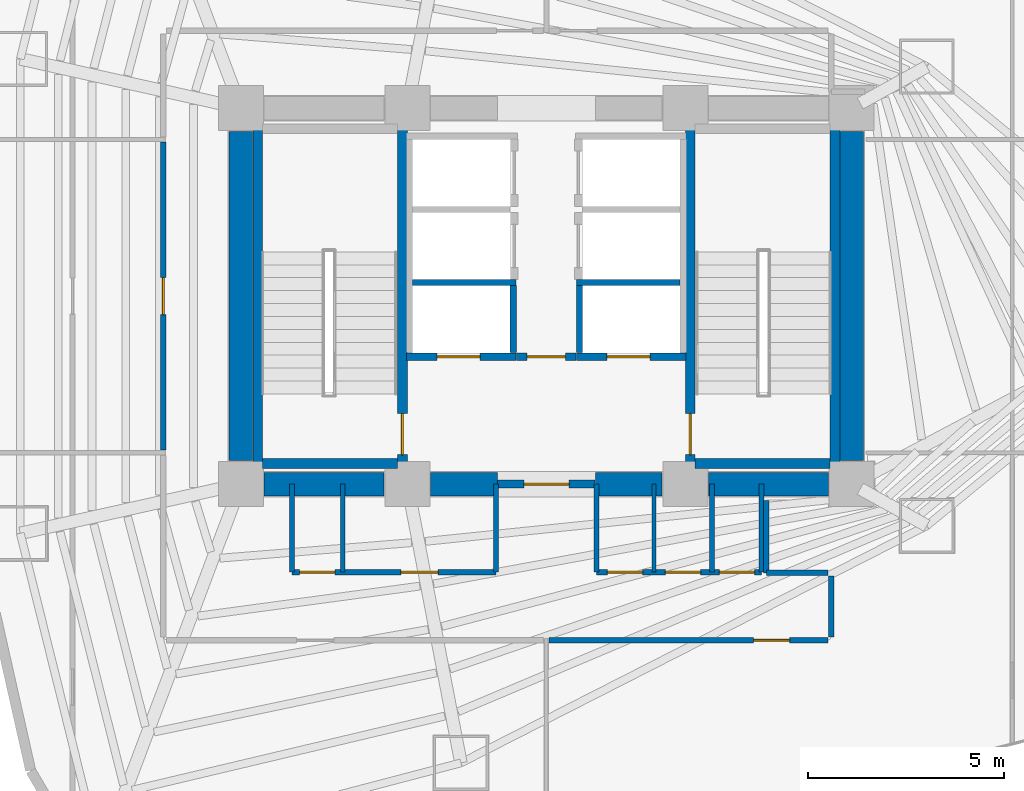
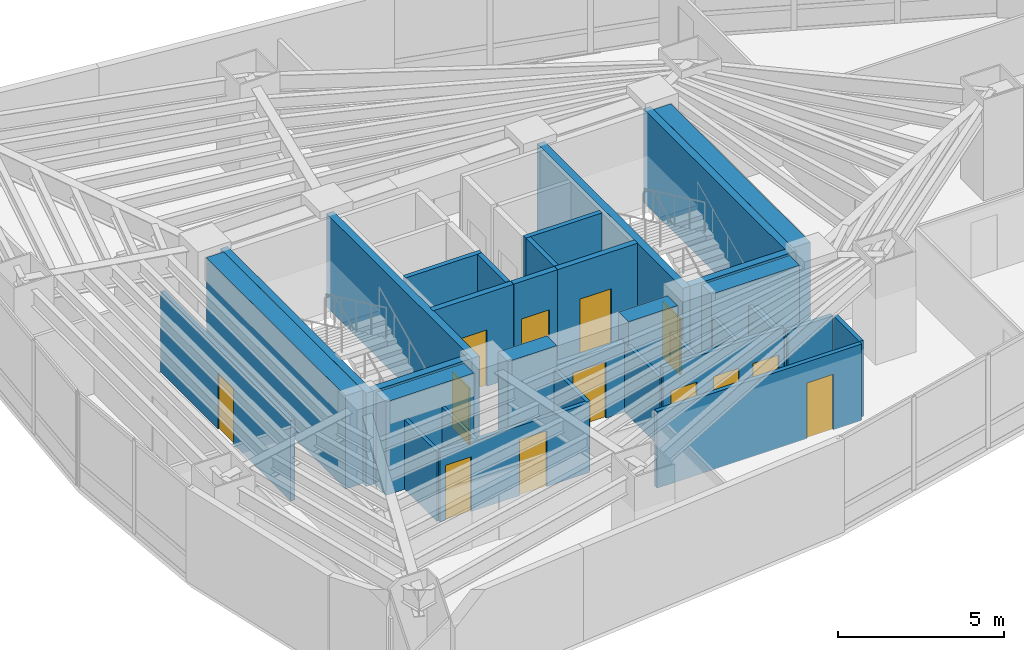
# One storey, part 15 of 20: 34 walls, 13 doors, 13 openings.
"""IFC4 building model written with IfcOpenShell, lengths in metres."""

from ifc_helpers import new_model, si_unit, direction, frame, frame_2d, origin, place, context, subcontext, project, spatial, rectangle, extrude, material, layer, layer_set, type_object, element, fill, save


model = new_model("IFC4")

# Units and contexts
model_context = context("Model", 3, precision=1e-05, world=origin(), true_north=direction((0.0, 1.0)))
body_context = subcontext(model_context, "Body", "Model", "MODEL_VIEW")
ifc_project = project(units=[si_unit("LENGTHUNIT", "METRE"), si_unit("AREAUNIT", "SQUARE_METRE"), si_unit("VOLUMEUNIT", "CUBIC_METRE"), si_unit("PLANEANGLEUNIT", "RADIAN"), si_unit("MASSUNIT", "GRAM", prefix="KILO")], contexts=[model_context])

# Site, building, storey
site_placement = place(None, origin())
site = spatial("IfcSite", under=ifc_project, at=site_placement, CompositionType="ELEMENT")
building_placement = place(site_placement, origin())
building = spatial("IfcBuilding", under=site, at=building_placement, Name="Menara Vayukalpa", CompositionType="ELEMENT")
storey_placement = place(building_placement, frame((0.0, 0.0, 64.800048828125)))
storey = spatial("IfcBuildingStorey", under=building, at=storey_placement, Name="L15", CompositionType="ELEMENT", Elevation=64.800048828125)

# Walls
ifc_material_1 = material(Name="Concrete C70/85", Category="concrete")
ifc_layer_1 = layer(ifc_material_1, 0.60009765625)
ifc_layer_set_1 = layer_set([ifc_layer_1], Name="Concrete C70/85")
wall_type_1 = type_object("IfcWallType", Name="WAL-CW600", PredefinedType="SHEAR", material=ifc_layer_set_1)
wall_1_placement = place(storey_placement, frame((18.39501953125, 17.199951171875, 0.0), z_axis=(0.0, 0.0, 1.0), x_axis=(1.0, 0.0, 0.0)))
element("IfcWall", 1, at=wall_1_placement, inside=storey, type_object=wall_type_1, Name="L15 Buttressed Core Shear Wall CWS1", PredefinedType="SHEAR", context=body_context, shape_type="SweptSolid", body=[
    extrude(rectangle(XDim=3.06005859375, YDim=0.60009765625, at=frame_2d((1.530029296875, 0.0))), origin(), (0.0, 0.0, 1.0), 3.43994140625),
])
wall_2_placement = place(storey_placement, frame((22.64501953125, 17.199951171875, 0.0), z_axis=(0.0, 0.0, 1.0), x_axis=(1.0, 0.0, 0.0)))
element("IfcWall", 2, at=wall_2_placement, inside=storey, type_object=wall_type_1, Name="L15 Buttressed Core Shear Wall CWS2", PredefinedType="SHEAR", context=body_context, shape_type="SweptSolid", body=[
    extrude(rectangle(XDim=1.705078125, YDim=0.60009765625, at=frame_2d((0.8525390625, 0.0))), origin(), (0.0, 0.0, 1.0), 3.43994140625),
])
wall_3_placement = place(storey_placement, frame((26.85009765625, 17.199951171875, 0.0), z_axis=(0.0, 0.0, 1.0), x_axis=(1.0, 0.0, 0.0)))
element("IfcWall", 3, at=wall_3_placement, inside=storey, type_object=wall_type_1, Name="L15 Buttressed Core Shear Wall CWS3", PredefinedType="SHEAR", context=body_context, shape_type="SweptSolid", body=[
    extrude(rectangle(XDim=1.704833984375, YDim=0.60009765625, at=frame_2d((0.8525390625, 0.0))), origin(), (0.0, 0.0, 1.0), 3.43994140625),
])
wall_4_placement = place(storey_placement, frame((29.7451171875, 17.199951171875, 0.0), z_axis=(0.0, 0.0, 1.0), x_axis=(1.0, 0.0, 0.0)))
element("IfcWall", 4, at=wall_4_placement, inside=storey, type_object=wall_type_1, Name="L15 Buttressed Core Shear Wall CWS4", PredefinedType="SHEAR", context=body_context, shape_type="SweptSolid", body=[
    extrude(rectangle(XDim=3.059814453125, YDim=0.60009765625, at=frame_2d((1.52978515625, 0.0))), origin(), (0.0, 0.0, 1.0), 3.43994140625),
])
for number, where, z_axis, x_axis, name in (
    (5, (17.800048828125, 17.794921875, 0.0), (0.0, 0.0, 1.0), (0.0, 1.0, 0.0), "L15 Buttressed Core Shear Wall CWW1"),
    (6, (33.39990234375, 17.794921875, 0.0), (0.0, 0.0, 1.0), (0.0, 1.0, 0.0), "L15 Buttressed Core Shear Wall CWE1"),
):
    element("IfcWall", number, at=place(storey_placement, frame(where, z_axis=z_axis, x_axis=x_axis)), inside=storey, type_object=wall_type_1, Name=name, PredefinedType="SHEAR", context=body_context, shape_type="SweptSolid", body=[
        extrude(rectangle(XDim=8.41015625, YDim=0.60009765625, at=frame_2d((4.205078125, 0.0))), origin(), (0.0, 0.0, 1.0), 3.43994140625),
    ])
ifc_material_2 = material(Name="Lightweight Concrete Blockwork C16/20", Category="masonry")
ifc_layer_2 = layer(ifc_material_2, 0.159912109375)
ifc_layer_set_2 = layer_set([ifc_layer_2], Name="Lightweight Concrete Blockwork C16/20")
wall_type_2 = type_object("IfcWallType", Name="WAL-FR150", PredefinedType="PARTITIONING", material=ifc_layer_set_2)
wall_5_placement = place(storey_placement, frame((24.7548828125, 20.56005859375, 0.0), z_axis=(0.0, 0.0, 1.0), x_axis=(0.0, 1.0, 0.0)))
element("IfcWall", 7, at=wall_5_placement, inside=storey, type_object=wall_type_2, Name="L15 Interior Partition IW-L15-SHW-W1E", PredefinedType="PARTITIONING", context=body_context, shape_type="SweptSolid", body=[
    extrude(rectangle(XDim=1.7099609375, YDim=0.159912109375, at=frame_2d((0.85498046875, 0.0))), origin(), (0.0, 0.0, 1.0), 3.43994140625),
])
wall_6_placement = place(storey_placement, frame((22.179931640625, 22.344970703125, 0.0), z_axis=(0.0, 0.0, 1.0), x_axis=(1.0, 0.0, 0.0)))
element("IfcWall", 8, at=wall_6_placement, inside=storey, type_object=wall_type_2, Name="L15 Interior Partition IW-L15-SHM-W12", PredefinedType="PARTITIONING", context=body_context, shape_type="SweptSolid", body=[
    extrude(rectangle(XDim=2.650146484375, YDim=0.159912109375, at=frame_2d((1.3251953125, 0.0))), origin(), (0.0, 0.0, 1.0), 3.43994140625),
])
wall_7_placement = place(storey_placement, frame((26.445068359375, 20.56005859375, 0.0), z_axis=(0.0, 0.0, 1.0), x_axis=(0.0, 1.0, 0.0)))
element("IfcWall", 9, at=wall_7_placement, inside=storey, type_object=wall_type_2, Name="L15 Interior Partition IW-L15-SHW-E1W", PredefinedType="PARTITIONING", context=body_context, shape_type="SweptSolid", body=[
    extrude(rectangle(XDim=1.7099609375, YDim=0.159912109375, at=frame_2d((0.85498046875, 0.0))), origin(), (0.0, 0.0, 1.0), 3.43994140625),
])
wall_8_placement = place(storey_placement, frame((26.3701171875, 22.344970703125, 0.0), z_axis=(0.0, 0.0, 1.0), x_axis=(1.0, 0.0, 0.0)))
element("IfcWall", 10, at=wall_8_placement, inside=storey, type_object=wall_type_2, Name="L15 Interior Partition IW-L15-SHM-E13", PredefinedType="PARTITIONING", context=body_context, shape_type="SweptSolid", body=[
    extrude(rectangle(XDim=2.64990234375, YDim=0.159912109375, at=frame_2d((1.324951171875, 0.0))), origin(), (0.0, 0.0, 1.0), 3.43994140625),
])

# Wall, opening, door
ifc_material_3 = material(Name="Lightweight Concrete Blockwork C16/20", Category="masonry")
ifc_layer_3 = layer(ifc_material_3, 0.199951171875)
ifc_layer_set_3 = layer_set([ifc_layer_3], Name="Lightweight Concrete Blockwork C16/20")
wall_type_3 = type_object("IfcWallType", Name="WAL-FR200", PredefinedType="PARTITIONING", material=ifc_layer_set_3)
wall_9_placement = place(storey_placement, frame((24.35009765625, 17.199951171875, 0.0), z_axis=(0.0, 0.0, 1.0), x_axis=(1.0, 0.0, 0.0)))
wall_9 = element("IfcWall", 11, at=wall_9_placement, inside=storey, type_object=wall_type_3, Name="L15 Interior Partition IW-L15-FFLS", PredefinedType="PARTITIONING", context=body_context, shape_type="SweptSolid", body=[
    extrude(rectangle(XDim=2.5, YDim=0.199951171875, at=frame_2d((1.25, 0.0))), origin(), (0.0, 0.0, 1.0), 2.570068359375),
])
opening_1_placement = place(wall_9_placement, frame((0.679931640625, 0.0, 0.0)))
opening_1 = element("IfcOpeningElement", 12, at=opening_1_placement, cuts=wall_9, Name="Opening ID2", PredefinedType="OPENING", context=body_context, shape_type="SweptSolid", body=[
    extrude(rectangle(XDim=1.14990234375, YDim=2.080078125, at=frame_2d((0.574951171875, 1.0400390625))), frame((0.0, 0.10986328125, 0.0), z_axis=(0.0, -1.0, 0.0), x_axis=(1.0, 0.0, 0.0)), (0.0, 0.0, 1.0), 0.219970703125),
])
ifc_material_4 = material(Name="Fire-Rated Powder-Coated Steel Door", Category="steel")
door_type_1 = type_object("IfcDoorType", Name="DR-FD60W", OperationType="NOTDEFINED", PredefinedType="DOOR", material=ifc_material_4)
door_1_placement = place(opening_1_placement, origin())
door_1 = element("IfcDoor", 13, at=door_1_placement, inside=storey, type_object=door_type_1, Name="L15 Interior Door DR-L15-FFLS", OperationType="SINGLE_SWING_RIGHT", OverallHeight=2.080078125, OverallWidth=1.14990234375, PredefinedType="DOOR", context=body_context, shape_type="SweptSolid", body=[
    extrude(rectangle(XDim=1.14990234375, YDim=2.080078125, at=frame_2d((0.574951171875, 1.0400390625))), frame((0.0, 0.02490234375, 0.0), z_axis=(0.0, -1.0, 0.0), x_axis=(1.0, 0.0, 0.0)), (0.0, 0.0, 1.0), 0.050048828125),
])
fill(opening_1, door_1)

wall_10_placement = place(storey_placement, frame((24.840087890625, 20.449951171875, 0.0), z_axis=(0.0, 0.0, 1.0), x_axis=(1.0, 0.0, 0.0)))
wall_10 = element("IfcWall", 14, at=wall_10_placement, inside=storey, type_object=wall_type_3, Name="L15 Interior Partition IW-L15-FFLN", PredefinedType="PARTITIONING", context=body_context, shape_type="SweptSolid", body=[
    extrude(rectangle(XDim=1.52001953125, YDim=0.199951171875, at=frame_2d((0.760009765625, 0.0))), origin(), (0.0, 0.0, 1.0), 3.43994140625),
])
opening_2_placement = place(wall_10_placement, frame((0.27001953125, 0.0, 0.0)))
opening_2 = element("IfcOpeningElement", 15, at=opening_2_placement, cuts=wall_10, Name="Opening ID3", PredefinedType="OPENING", context=body_context, shape_type="SweptSolid", body=[
    extrude(rectangle(XDim=0.97998046875, YDim=2.06005859375, at=frame_2d((0.489990234375, 1.030029296875))), frame((0.0, 0.10986328125, 0.0), z_axis=(0.0, -1.0, 0.0), x_axis=(1.0, 0.0, 0.0)), (0.0, 0.0, 1.0), 0.219970703125),
])
ifc_material_5 = material(Name="Fire-Rated Powder-Coated Steel Door", Category="steel")
door_type_2 = type_object("IfcDoorType", Name="DR-FD60", OperationType="NOTDEFINED", PredefinedType="DOOR", material=ifc_material_5)
door_2_placement = place(opening_2_placement, origin())
door_2 = element("IfcDoor", 16, at=door_2_placement, inside=storey, type_object=door_type_2, Name="L15 Interior Door DR-L15-FFLN", OperationType="SINGLE_SWING_LEFT", OverallHeight=2.06005859375, OverallWidth=0.97998046875, PredefinedType="DOOR", context=body_context, shape_type="SweptSolid", body=[
    extrude(rectangle(XDim=0.97998046875, YDim=2.06005859375, at=frame_2d((0.489990234375, 1.030029296875))), frame((0.0, 0.02490234375, 0.0), z_axis=(0.0, -1.0, 0.0), x_axis=(1.0, 0.0, 0.0)), (0.0, 0.0, 1.0), 0.050048828125),
])
fill(opening_2, door_2)

wall_11_placement = place(storey_placement, frame((22.030029296875, 20.449951171875, 0.0), z_axis=(0.0, 0.0, 1.0), x_axis=(1.0, 0.0, 0.0)))
wall_11 = element("IfcWall", 17, at=wall_11_placement, inside=storey, type_object=wall_type_3, Name="L15 Interior Partition IW-L15-SH-W1", PredefinedType="PARTITIONING", context=body_context, shape_type="SweptSolid", body=[
    extrude(rectangle(XDim=2.800048828125, YDim=0.199951171875, at=frame_2d((1.39990234375, 0.0))), origin(), (0.0, 0.0, 1.0), 3.43994140625),
])
opening_3_placement = place(wall_11_placement, frame((0.780029296875, 0.0, 0.0)))
opening_3 = element("IfcOpeningElement", 18, at=opening_3_placement, cuts=wall_11, Name="Opening LD1", PredefinedType="OPENING", context=body_context, shape_type="SweptSolid", body=[
    extrude(rectangle(XDim=1.10009765625, YDim=2.080078125, at=frame_2d((0.550048828125, 1.0400390625))), frame((0.0, 0.10986328125, 0.0), z_axis=(0.0, -1.0, 0.0), x_axis=(1.0, 0.0, 0.0)), (0.0, 0.0, 1.0), 0.219970703125),
])
ifc_material_6 = material(Name="Brushed Stainless Steel 316 Lift Door", Category="steel")
door_type_3 = type_object("IfcDoorType", Name="DR-LD110", OperationType="NOTDEFINED", PredefinedType="DOOR", material=ifc_material_6)
door_3_placement = place(opening_3_placement, origin())
door_3 = element("IfcDoor", 19, at=door_3_placement, inside=storey, type_object=door_type_3, Name="L15 Interior Door DR-L15-LD-W1", OperationType="DOUBLE_DOOR_SLIDING", OverallHeight=2.080078125, OverallWidth=1.10009765625, PredefinedType="DOOR", context=body_context, shape_type="SweptSolid", body=[
    extrude(rectangle(XDim=1.10009765625, YDim=2.080078125, at=frame_2d((0.550048828125, 1.0400390625))), frame((0.0, 0.02490234375, 0.0), z_axis=(0.0, -1.0, 0.0), x_axis=(1.0, 0.0, 0.0)), (0.0, 0.0, 1.0), 0.050048828125),
])
fill(opening_3, door_3)

wall_12_placement = place(storey_placement, frame((26.3701171875, 20.449951171875, 0.0), z_axis=(0.0, 0.0, 1.0), x_axis=(1.0, 0.0, 0.0)))
wall_12 = element("IfcWall", 20, at=wall_12_placement, inside=storey, type_object=wall_type_3, Name="L15 Interior Partition IW-L15-SH-E1", PredefinedType="PARTITIONING", context=body_context, shape_type="SweptSolid", body=[
    extrude(rectangle(XDim=2.7998046875, YDim=0.199951171875, at=frame_2d((1.39990234375, 0.0))), origin(), (0.0, 0.0, 1.0), 3.43994140625),
])
opening_4_placement = place(wall_12_placement, frame((0.780029296875, 0.0, 0.0)))
opening_4 = element("IfcOpeningElement", 21, at=opening_4_placement, cuts=wall_12, Name="Opening LD1", PredefinedType="OPENING", context=body_context, shape_type="SweptSolid", body=[
    extrude(rectangle(XDim=1.10009765625, YDim=2.080078125, at=frame_2d((0.550048828125, 1.0400390625))), frame((0.0, 0.10986328125, 0.0), z_axis=(0.0, -1.0, 0.0), x_axis=(1.0, 0.0, 0.0)), (0.0, 0.0, 1.0), 0.219970703125),
])
door_4_placement = place(opening_4_placement, origin())
door_4 = element("IfcDoor", 22, at=door_4_placement, inside=storey, type_object=door_type_3, Name="L15 Interior Door DR-L15-LD-E1", OperationType="DOUBLE_DOOR_SLIDING", OverallHeight=2.080078125, OverallWidth=1.10009765625, PredefinedType="DOOR", context=body_context, shape_type="SweptSolid", body=[
    extrude(rectangle(XDim=1.10009765625, YDim=2.080078125, at=frame_2d((0.550048828125, 1.0400390625))), frame((0.0, 0.02490234375, 0.0), z_axis=(0.0, -1.0, 0.0), x_axis=(1.0, 0.0, 0.0)), (0.0, 0.0, 1.0), 0.050048828125),
])
fill(opening_4, door_4)

# Walls
ifc_material_7 = material(Name="Acoustic Mineral Stud Partition", Category="masonry")
ifc_layer_4 = layer(ifc_material_7, 0.110107421875)
ifc_layer_set_4 = layer_set([ifc_layer_4], Name="Acoustic Mineral Stud Partition")
wall_type_4 = type_object("IfcWallType", Name="WAL-PT110", PredefinedType="PARTITIONING", material=ifc_layer_set_4)
for number, where, z_axis, x_axis, name in (
    (23, (20.39990234375, 14.949951171875, 0.0), (0.0, 0.0, 1.0), (0.0, 1.0, 0.0), "L15 Interior Partition IW-L15-SVCD-02"),
    (24, (28.35009765625, 14.949951171875, 0.0), (0.0, 0.0, 1.0), (0.0, 1.0, 0.0), "L15 Interior Partition IW-L15-SVCD-05"),
):
    element("IfcWall", number, at=place(storey_placement, frame(where, z_axis=z_axis, x_axis=x_axis)), inside=storey, type_object=wall_type_4, Name=name, PredefinedType="PARTITIONING", context=body_context, shape_type="SweptSolid", body=[
        extrude(rectangle(XDim=2.25, YDim=0.110107421875, at=frame_2d((1.125, 0.0))), origin(), (0.0, 0.0, 1.0), 2.570068359375),
    ])
ifc_material_8 = material(Name="Gypsum Drywall Steel Stud Assembly", Category="steel")
ifc_layer_5 = layer(ifc_material_8, 0.125)
ifc_layer_set_5 = layer_set([ifc_layer_5], Name="Gypsum Drywall Steel Stud Assembly")
wall_type_5 = type_object("IfcWallType", Name="WAL-PT125", PredefinedType="PARTITIONING", material=ifc_layer_set_5)
for number, where, z_axis, x_axis, name in (
    (25, (19.10009765625, 14.949951171875, 0.0), (0.0, 0.0, 1.0), (0.0, 1.0, 0.0), "L15 Interior Partition IW-L15-SVCD-01"),
    (26, (24.320068359375, 14.949951171875, 0.0), (0.0, 0.0, 1.0), (0.0, 1.0, 0.0), "L15 Interior Partition IW-L15-SVCD-03"),
    (27, (26.8798828125, 14.949951171875, 0.0), (0.0, 0.0, 1.0), (0.0, 1.0, 0.0), "L15 Interior Partition IW-L15-SVCD-04"),
    (28, (29.830078125, 14.949951171875, 0.0), (0.0, 0.0, 1.0), (0.0, 1.0, 0.0), "L15 Interior Partition IW-L15-SVCD-06"),
    (29, (31.10009765625, 14.949951171875, 0.0), (0.0, 0.0, 1.0), (0.0, 1.0, 0.0), "L15 Interior Partition IW-L15-SVCD-07"),
):
    element("IfcWall", number, at=place(storey_placement, frame(where, z_axis=z_axis, x_axis=x_axis)), inside=storey, type_object=wall_type_5, Name=name, PredefinedType="PARTITIONING", context=body_context, shape_type="SweptSolid", body=[
        extrude(rectangle(XDim=2.25, YDim=0.125, at=frame_2d((1.125, 0.0))), origin(), (0.0, 0.0, 1.0), 2.570068359375),
    ])

# Wall, openings, doors
ifc_material_9 = material(Name="Gypsum Drywall Acoustic Stud Assembly", Category="masonry")
ifc_layer_6 = layer(ifc_material_9, 0.14501953125)
ifc_layer_set_6 = layer_set([ifc_layer_6], Name="Gypsum Drywall Acoustic Stud Assembly")
wall_type_6 = type_object("IfcWallType", Name="WAL-PT150", PredefinedType="PARTITIONING", material=ifc_layer_set_6)
wall_13_placement = place(storey_placement, frame((19.10009765625, 14.949951171875, 0.0), z_axis=(0.0, 0.0, 1.0), x_axis=(1.0, 0.0, 0.0)))
wall_13 = element("IfcWall", 30, at=wall_13_placement, inside=storey, type_object=wall_type_6, Name="L15 Interior Partition IW-L15-SVCS-W", PredefinedType="PARTITIONING", context=body_context, shape_type="SweptSolid", body=[
    extrude(rectangle(XDim=5.219970703125, YDim=0.14501953125, at=frame_2d((2.60986328125, 0.0))), origin(), (0.0, 0.0, 1.0), 2.570068359375),
])
opening_5_placement = place(wall_13_placement, frame((0.199951171875, 0.0, 0.0)))
opening_5 = element("IfcOpeningElement", 31, at=opening_5_placement, cuts=wall_13, Name="Opening ID7", PredefinedType="OPENING", context=body_context, shape_type="SweptSolid", body=[
    extrude(rectangle(XDim=0.89990234375, YDim=2.02001953125, at=frame_2d((0.449951171875, 1.010009765625))), frame((0.0, 0.08251953125, 0.0), z_axis=(0.0, -1.0, 0.0), x_axis=(1.0, 0.0, 0.0)), (0.0, 0.0, 1.0), 0.1650390625),
])
opening_6_placement = place(wall_13_placement, frame((2.784912109375, 0.0, 0.0)))
opening_6 = element("IfcOpeningElement", 32, at=opening_6_placement, cuts=wall_13, Name="Opening ID5", PredefinedType="OPENING", context=body_context, shape_type="SweptSolid", body=[
    extrude(rectangle(XDim=0.949951171875, YDim=2.06005859375, at=frame_2d((0.47509765625, 1.030029296875))), frame((0.0, 0.08251953125, 0.0), z_axis=(0.0, -1.0, 0.0), x_axis=(1.0, 0.0, 0.0)), (0.0, 0.0, 1.0), 0.1650390625),
])
ifc_material_10 = material(Name="Acoustic Hardwood Veneer Timber Door", Category="wood")
door_type_4 = type_object("IfcDoorType", Name="DR-INT95", OperationType="NOTDEFINED", PredefinedType="DOOR", material=ifc_material_10)
door_5_placement = place(opening_6_placement, origin())
door_5 = element("IfcDoor", 33, at=door_5_placement, inside=storey, type_object=door_type_4, Name="L15 Interior Door DR-L15-AWC", OperationType="SINGLE_SWING_LEFT", OverallHeight=2.06005859375, OverallWidth=0.949951171875, PredefinedType="DOOR", context=body_context, shape_type="SweptSolid", body=[
    extrude(rectangle(XDim=0.949951171875, YDim=2.06005859375, at=frame_2d((0.47509765625, 1.030029296875))), frame((0.0, 0.02490234375, 0.0), z_axis=(0.0, -1.0, 0.0), x_axis=(1.0, 0.0, 0.0)), (0.0, 0.0, 1.0), 0.050048828125),
])
fill(opening_6, door_5)
ifc_material_11 = material(Name="Powder-Coated Steel Riser Access Door", Category="steel")
door_type_5 = type_object("IfcDoorType", Name="DR-RISER", OperationType="NOTDEFINED", PredefinedType="DOOR", material=ifc_material_11)
door_6_placement = place(opening_5_placement, origin())
door_6 = element("IfcDoor", 34, at=door_6_placement, inside=storey, type_object=door_type_5, Name="L15 Interior Door DR-L15-ELR", OperationType="SINGLE_SWING_RIGHT", OverallHeight=2.02001953125, OverallWidth=0.89990234375, PredefinedType="DOOR", context=body_context, shape_type="SweptSolid", body=[
    extrude(rectangle(XDim=0.89990234375, YDim=2.02001953125, at=frame_2d((0.449951171875, 1.010009765625))), frame((0.0, 0.02490234375, 0.0), z_axis=(0.0, -1.0, 0.0), x_axis=(1.0, 0.0, 0.0)), (0.0, 0.0, 1.0), 0.050048828125),
])
fill(opening_5, door_6)

wall_14_placement = place(storey_placement, frame((26.8798828125, 14.949951171875, 0.0), z_axis=(0.0, 0.0, 1.0), x_axis=(1.0, 0.0, 0.0)))
wall_14 = element("IfcWall", 35, at=wall_14_placement, inside=storey, type_object=wall_type_6, Name="L15 Interior Partition IW-L15-SVCS-E", PredefinedType="PARTITIONING", context=body_context, shape_type="SweptSolid", body=[
    extrude(rectangle(XDim=4.22021484375, YDim=0.14501953125, at=frame_2d((2.110107421875, 0.0))), origin(), (0.0, 0.0, 1.0), 2.969970703125),
])
opening_7_placement = place(wall_14_placement, frame((0.280029296875, 0.0, 0.0)))
opening_7 = element("IfcOpeningElement", 36, at=opening_7_placement, cuts=wall_14, Name="Opening ID7", PredefinedType="OPENING", context=body_context, shape_type="SweptSolid", body=[
    extrude(rectangle(XDim=0.89990234375, YDim=2.02001953125, at=frame_2d((0.449951171875, 1.010009765625))), frame((0.0, 0.08251953125, 0.0), z_axis=(0.0, -1.0, 0.0), x_axis=(1.0, 0.0, 0.0)), (0.0, 0.0, 1.0), 0.1650390625),
])
opening_8_placement = place(wall_14_placement, frame((1.760009765625, 0.0, 0.0)))
opening_8 = element("IfcOpeningElement", 37, at=opening_8_placement, cuts=wall_14, Name="Opening ID7", PredefinedType="OPENING", context=body_context, shape_type="SweptSolid", body=[
    extrude(rectangle(XDim=0.89990234375, YDim=2.02001953125, at=frame_2d((0.449951171875, 1.010009765625))), frame((0.0, 0.08251953125, 0.0), z_axis=(0.0, -1.0, 0.0), x_axis=(1.0, 0.0, 0.0)), (0.0, 0.0, 1.0), 0.1650390625),
])
opening_9_placement = place(wall_14_placement, frame((3.139892578125, 0.0, 0.0)))
opening_9 = element("IfcOpeningElement", 38, at=opening_9_placement, cuts=wall_14, Name="Opening ID7", PredefinedType="OPENING", context=body_context, shape_type="SweptSolid", body=[
    extrude(rectangle(XDim=0.89990234375, YDim=2.02001953125, at=frame_2d((0.449951171875, 1.010009765625))), frame((0.0, 0.08251953125, 0.0), z_axis=(0.0, -1.0, 0.0), x_axis=(1.0, 0.0, 0.0)), (0.0, 0.0, 1.0), 0.1650390625),
])
door_7_placement = place(opening_7_placement, origin())
door_7 = element("IfcDoor", 39, at=door_7_placement, inside=storey, type_object=door_type_5, Name="L15 Interior Door DR-L15-KSV1", OperationType="SINGLE_SWING_RIGHT", OverallHeight=2.02001953125, OverallWidth=0.89990234375, PredefinedType="DOOR", context=body_context, shape_type="SweptSolid", body=[
    extrude(rectangle(XDim=0.89990234375, YDim=2.02001953125, at=frame_2d((0.449951171875, 1.010009765625))), frame((0.0, 0.02490234375, 0.0), z_axis=(0.0, -1.0, 0.0), x_axis=(1.0, 0.0, 0.0)), (0.0, 0.0, 1.0), 0.050048828125),
])
fill(opening_7, door_7)
door_8_placement = place(opening_8_placement, origin())
door_8 = element("IfcDoor", 40, at=door_8_placement, inside=storey, type_object=door_type_5, Name="L15 Interior Door DR-L15-KSV2", OperationType="SINGLE_SWING_LEFT", OverallHeight=2.02001953125, OverallWidth=0.89990234375, PredefinedType="DOOR", context=body_context, shape_type="SweptSolid", body=[
    extrude(rectangle(XDim=0.89990234375, YDim=2.02001953125, at=frame_2d((0.449951171875, 1.010009765625))), frame((0.0, 0.02490234375, 0.0), z_axis=(0.0, -1.0, 0.0), x_axis=(1.0, 0.0, 0.0)), (0.0, 0.0, 1.0), 0.050048828125),
])
fill(opening_8, door_8)
door_9_placement = place(opening_9_placement, origin())
door_9 = element("IfcDoor", 41, at=door_9_placement, inside=storey, type_object=door_type_5, Name="L15 Interior Door DR-L15-SMD", OperationType="SINGLE_SWING_RIGHT", OverallHeight=2.02001953125, OverallWidth=0.89990234375, PredefinedType="DOOR", context=body_context, shape_type="SweptSolid", body=[
    extrude(rectangle(XDim=0.89990234375, YDim=2.02001953125, at=frame_2d((0.449951171875, 1.010009765625))), frame((0.0, 0.02490234375, 0.0), z_axis=(0.0, -1.0, 0.0), x_axis=(1.0, 0.0, 0.0)), (0.0, 0.0, 1.0), 0.050048828125),
])
fill(opening_9, door_9)

# Wall, opening, door
wall_15_placement = place(storey_placement, frame((25.669921875, 13.2099609375, 0.0), z_axis=(0.0, 0.0, 1.0), x_axis=(1.0, 0.0, 0.0)))
wall_15 = element("IfcWall", 42, at=wall_15_placement, inside=storey, type_object=wall_type_6, Name="L15 Interior Partition IW-L15-CRM04-1", PredefinedType="PARTITIONING", context=body_context, shape_type="SweptSolid", body=[
    extrude(rectangle(XDim=7.130126953125, YDim=0.14501953125, at=frame_2d((3.56494140625, 0.0))), origin(), (0.0, 0.0, 1.0), 2.820068359375),
])
opening_10_placement = place(wall_15_placement, frame((5.2236328125, 0.0, 0.0)))
opening_10 = element("IfcOpeningElement", 43, at=opening_10_placement, cuts=wall_15, Name="Opening ID6", PredefinedType="OPENING", context=body_context, shape_type="SweptSolid", body=[
    extrude(rectangle(XDim=0.919921875, YDim=2.050048828125, at=frame_2d((0.4599609375, 1.02490234375))), frame((0.0, 0.08251953125, 0.0), z_axis=(0.0, -1.0, 0.0), x_axis=(1.0, 0.0, 0.0)), (0.0, 0.0, 1.0), 0.1650390625),
])
ifc_material_12 = material(Name="Acoustic Hardwood Veneer Timber Door", Category="wood")
door_type_6 = type_object("IfcDoorType", Name="DR-INT92", OperationType="NOTDEFINED", PredefinedType="DOOR", material=ifc_material_12)
door_10_placement = place(opening_10_placement, origin())
door_10 = element("IfcDoor", 44, at=door_10_placement, inside=storey, type_object=door_type_6, Name="L15 Interior Door DR-L15-RM04", OperationType="SINGLE_SWING_RIGHT", OverallHeight=2.050048828125, OverallWidth=0.919921875, PredefinedType="DOOR", context=body_context, shape_type="SweptSolid", body=[
    extrude(rectangle(XDim=0.919921875, YDim=2.050048828125, at=frame_2d((0.4599609375, 1.02490234375))), frame((0.0, 0.02490234375, 0.0), z_axis=(0.0, -1.0, 0.0), x_axis=(1.0, 0.0, 0.0)), (0.0, 0.0, 1.0), 0.050048828125),
])
fill(opening_10, door_10)

# Walls
wall_16_placement = place(storey_placement, frame((32.8798828125, 13.2900390625, 0.0), z_axis=(0.0, 0.0, 1.0), x_axis=(0.0, 1.0, 0.0)))
element("IfcWall", 45, at=wall_16_placement, inside=storey, type_object=wall_type_6, Name="L15 Interior Partition IW-L15-CRM04-2", PredefinedType="PARTITIONING", context=body_context, shape_type="SweptSolid", body=[
    extrude(rectangle(XDim=1.56005859375, YDim=0.14501953125, at=frame_2d((0.780029296875, 0.0))), origin(), (0.0, 0.0, 1.0), 2.820068359375),
])
wall_17_placement = place(storey_placement, frame((32.800048828125, 14.929931640625, 0.0), z_axis=(0.0, 0.0, 1.0), x_axis=(-1.0, 0.0, 0.0)))
element("IfcWall", 46, at=wall_17_placement, inside=storey, type_object=wall_type_6, Name="L15 Interior Partition IW-L15-CRM04-3", PredefinedType="PARTITIONING", context=body_context, shape_type="SweptSolid", body=[
    extrude(rectangle(XDim=1.580078125, YDim=0.14501953125, at=frame_2d((0.7900390625, 0.0))), origin(), (0.0, 0.0, 1.0), 2.820068359375),
])
wall_18_placement = place(storey_placement, frame((31.219970703125, 14.929931640625, 0.0), z_axis=(0.0, 0.0, 1.0), x_axis=(0.0, 1.0, 0.0)))
element("IfcWall", 47, at=wall_18_placement, inside=storey, type_object=wall_type_6, Name="L15 Interior Partition IW-L15-CRM04-4", PredefinedType="PARTITIONING", context=body_context, shape_type="SweptSolid", body=[
    extrude(rectangle(XDim=1.85009765625, YDim=0.14501953125, at=frame_2d((0.925048828125, 0.0))), origin(), (0.0, 0.0, 1.0), 2.570068359375),
])

# Wall, opening, door
wall_19_placement = place(storey_placement, frame((15.820068359375, 25.929931640625, 0.0), z_axis=(0.0, 0.0, 1.0), x_axis=(0.0, -1.0, 0.0)))
wall_19 = element("IfcWall", 48, at=wall_19_placement, inside=storey, type_object=wall_type_6, Name="L15 Interior Partition IW-L15-CRM13-1", PredefinedType="PARTITIONING", context=body_context, shape_type="SweptSolid", body=[
    extrude(rectangle(XDim=7.85986328125, YDim=0.14501953125, at=frame_2d((3.929931640625, 0.0))), origin(), (0.0, 0.0, 1.0), 2.969970703125),
])
opening_11_placement = place(wall_19_placement, frame((3.455078125, 0.0, 0.0)))
opening_11 = element("IfcOpeningElement", 49, at=opening_11_placement, cuts=wall_19, Name="Opening ID5", PredefinedType="OPENING", context=body_context, shape_type="SweptSolid", body=[
    extrude(rectangle(XDim=0.949951171875, YDim=2.06005859375, at=frame_2d((0.47509765625, 1.030029296875))), frame((0.0, 0.08251953125, 0.0), z_axis=(0.0, -1.0, 0.0), x_axis=(1.0, 0.0, 0.0)), (0.0, 0.0, 1.0), 0.1650390625),
])
door_11_placement = place(opening_11_placement, origin())
door_11 = element("IfcDoor", 50, at=door_11_placement, inside=storey, type_object=door_type_4, Name="L15 Interior Door DR-L15-RM13", OperationType="SINGLE_SWING_LEFT", OverallHeight=2.06005859375, OverallWidth=0.949951171875, PredefinedType="DOOR", context=body_context, shape_type="SweptSolid", body=[
    extrude(rectangle(XDim=0.949951171875, YDim=2.06005859375, at=frame_2d((0.47509765625, 1.030029296875))), frame((0.0, 0.02490234375, 0.0), z_axis=(0.0, -1.0, 0.0), x_axis=(1.0, 0.0, 0.0)), (0.0, 0.0, 1.0), 0.050048828125),
])
fill(opening_11, door_11)

# Wall
ifc_material_13 = material(Name="Concrete C50/60", Category="concrete")
ifc_layer_7 = layer(ifc_material_13, 0.25)
ifc_layer_set_7 = layer_set([ifc_layer_7], Name="Concrete C50/60")
wall_type_7 = type_object("IfcWallType", Name="WAL-SW250", PredefinedType="SHEAR", material=ifc_layer_set_7)
wall_20_placement = place(storey_placement, frame((18.22900390625, 17.60009765625, 0.0), z_axis=(0.0, 0.0, 1.0), x_axis=(0.0, 1.0, 0.0)))
element("IfcWall", 51, at=wall_20_placement, inside=storey, type_object=wall_type_7, Name="L15 ST1 Structural Stair Shaft Wall W", PredefinedType="SHEAR", context=body_context, shape_type="SweptSolid", body=[
    extrude(rectangle(XDim=8.7998046875, YDim=0.25, at=frame_2d((4.39990234375, 0.0))), origin(), (0.0, 0.0, 1.0), 3.43994140625),
])

# Wall, opening, door
wall_21_placement = place(storey_placement, frame((21.925048828125, 17.60009765625, 0.0), z_axis=(0.0, 0.0, 1.0), x_axis=(0.0, 1.0, 0.0)))
wall_21 = element("IfcWall", 52, at=wall_21_placement, inside=storey, type_object=wall_type_7, Name="L15 ST1 Structural Stair Shaft Wall E", PredefinedType="SHEAR", context=body_context, shape_type="SweptSolid", body=[
    extrude(rectangle(XDim=8.7998046875, YDim=0.25, at=frame_2d((4.39990234375, 0.0))), origin(), (0.0, 0.0, 1.0), 3.43994140625),
])
opening_12_placement = place(wall_21_placement, frame((0.35009765625, 0.0, 0.0)))
opening_12 = element("IfcOpeningElement", 53, at=opening_12_placement, cuts=wall_21, Name="Opening ID1", PredefinedType="OPENING", context=body_context, shape_type="SweptSolid", body=[
    extrude(rectangle(XDim=1.050048828125, YDim=2.080078125, at=frame_2d((0.52490234375, 1.0400390625))), frame((0.0, 0.135009765625, 0.0), z_axis=(0.0, -1.0, 0.0), x_axis=(1.0, 0.0, 0.0)), (0.0, 0.0, 1.0), 0.27001953125),
])
ifc_material_14 = material(Name="Fire-Rated Powder-Coated Steel Door", Category="steel")
door_type_7 = type_object("IfcDoorType", Name="DR-FD120", OperationType="NOTDEFINED", PredefinedType="DOOR", material=ifc_material_14)
door_12_placement = place(opening_12_placement, origin())
door_12 = element("IfcDoor", 54, at=door_12_placement, inside=storey, type_object=door_type_7, Name="L15 Stair Exit Door DR-L15-ST1", OperationType="SINGLE_SWING_LEFT", OverallHeight=2.080078125, OverallWidth=1.050048828125, PredefinedType="DOOR", context=body_context, shape_type="SweptSolid", body=[
    extrude(rectangle(XDim=1.050048828125, YDim=2.080078125, at=frame_2d((0.52490234375, 1.0400390625))), frame((0.0, 0.02490234375, 0.0), z_axis=(0.0, -1.0, 0.0), x_axis=(1.0, 0.0, 0.0)), (0.0, 0.0, 1.0), 0.050048828125),
])
fill(opening_12, door_12)

# Wall
wall_22_placement = place(storey_placement, frame((18.35400390625, 17.72509765625, 0.0), z_axis=(0.0, 0.0, 1.0), x_axis=(1.0, 0.0, 0.0)))
element("IfcWall", 55, at=wall_22_placement, inside=storey, type_object=wall_type_7, Name="L15 ST1 Structural Stair Shaft Wall S", PredefinedType="SHEAR", context=body_context, shape_type="SweptSolid", body=[
    extrude(rectangle(XDim=3.446044921875, YDim=0.25, at=frame_2d((1.72314453125, 0.0))), origin(), (0.0, 0.0, 1.0), 3.43994140625),
])

# Wall, opening, door
wall_23_placement = place(storey_placement, frame((29.27490234375, 17.60009765625, 0.0), z_axis=(0.0, 0.0, 1.0), x_axis=(0.0, 1.0, 0.0)))
wall_23 = element("IfcWall", 56, at=wall_23_placement, inside=storey, type_object=wall_type_7, Name="L15 ST2 Structural Stair Shaft Wall W", PredefinedType="SHEAR", context=body_context, shape_type="SweptSolid", body=[
    extrude(rectangle(XDim=8.7998046875, YDim=0.25, at=frame_2d((4.39990234375, 0.0))), origin(), (0.0, 0.0, 1.0), 3.43994140625),
])
opening_13_placement = place(wall_23_placement, frame((0.35009765625, 0.0, 0.0)))
opening_13 = element("IfcOpeningElement", 57, at=opening_13_placement, cuts=wall_23, Name="Opening ID1", PredefinedType="OPENING", context=body_context, shape_type="SweptSolid", body=[
    extrude(rectangle(XDim=1.050048828125, YDim=2.080078125, at=frame_2d((0.52490234375, 1.0400390625))), frame((0.0, 0.135009765625, 0.0), z_axis=(0.0, -1.0, 0.0), x_axis=(1.0, 0.0, 0.0)), (0.0, 0.0, 1.0), 0.27001953125),
])
door_13_placement = place(opening_13_placement, origin())
door_13 = element("IfcDoor", 58, at=door_13_placement, inside=storey, type_object=door_type_7, Name="L15 Stair Exit Door DR-L15-ST2", OperationType="SINGLE_SWING_RIGHT", OverallHeight=2.080078125, OverallWidth=1.050048828125, PredefinedType="DOOR", context=body_context, shape_type="SweptSolid", body=[
    extrude(rectangle(XDim=1.050048828125, YDim=2.080078125, at=frame_2d((0.52490234375, 1.0400390625))), frame((0.0, 0.02490234375, 0.0), z_axis=(0.0, -1.0, 0.0), x_axis=(1.0, 0.0, 0.0)), (0.0, 0.0, 1.0), 0.050048828125),
])
fill(opening_13, door_13)

# Walls
wall_24_placement = place(storey_placement, frame((32.970947265625, 17.60009765625, 0.0), z_axis=(0.0, 0.0, 1.0), x_axis=(0.0, 1.0, 0.0)))
element("IfcWall", 59, at=wall_24_placement, inside=storey, type_object=wall_type_7, Name="L15 ST2 Structural Stair Shaft Wall E", PredefinedType="SHEAR", context=body_context, shape_type="SweptSolid", body=[
    extrude(rectangle(XDim=8.7998046875, YDim=0.25, at=frame_2d((4.39990234375, 0.0))), origin(), (0.0, 0.0, 1.0), 3.43994140625),
])
wall_25_placement = place(storey_placement, frame((29.39990234375, 17.72509765625, 0.0), z_axis=(0.0, 0.0, 1.0), x_axis=(1.0, 0.0, 0.0)))
element("IfcWall", 60, at=wall_25_placement, inside=storey, type_object=wall_type_7, Name="L15 ST2 Structural Stair Shaft Wall S", PredefinedType="SHEAR", context=body_context, shape_type="SweptSolid", body=[
    extrude(rectangle(XDim=3.446044921875, YDim=0.25, at=frame_2d((1.72314453125, 0.0))), origin(), (0.0, 0.0, 1.0), 3.43994140625),
])

save(model, "model.ifc")
